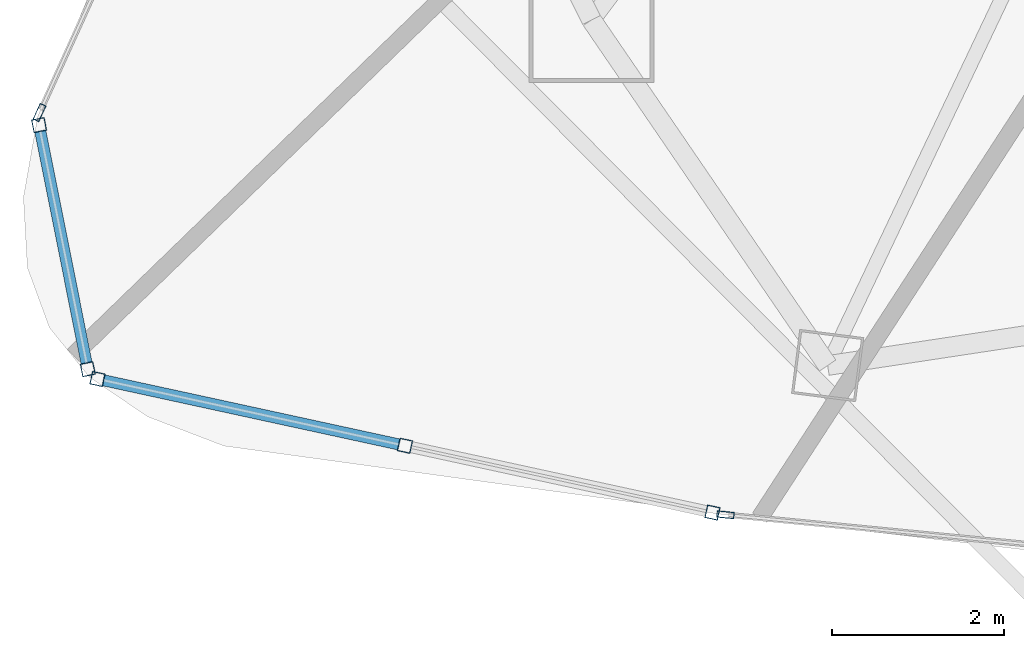
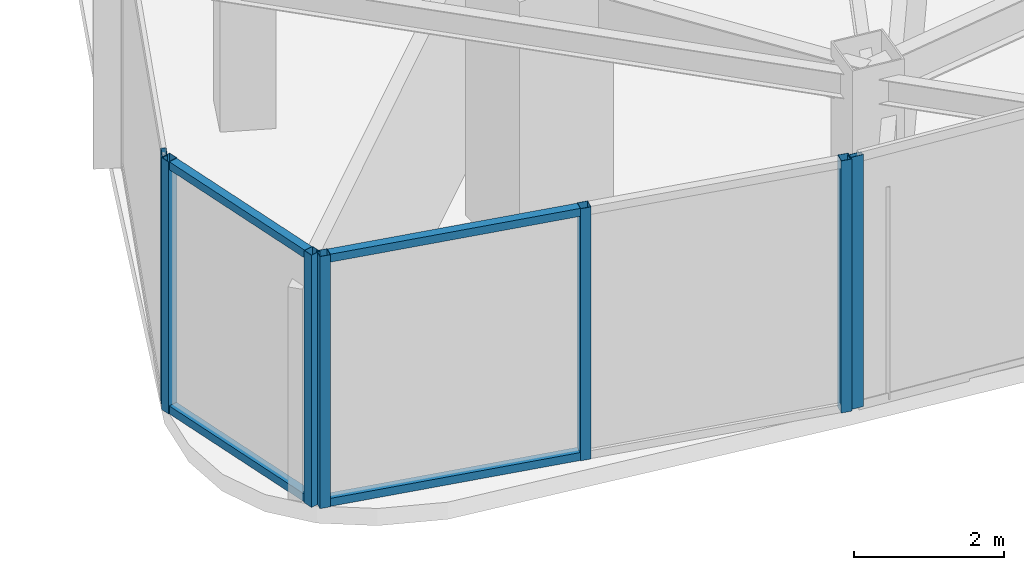
# One storey, part 2 of 28: 11 members, 4 elements without a shape of their own.
"""IFC4 building model written with IfcOpenShell, lengths in metres."""

from ifc_helpers import new_model, si_unit, direction, frame, origin, origin_2d, place, context, subcontext, project, spatial, hollow_rectangle, extrude, material, layer, layer_set, material_profile, profile_set, type_object, element, aggregate, save


model = new_model("IFC4")

# Units and contexts
model_context = context("Model", 3, precision=1e-05, world=origin(), true_north=direction((0.0, 1.0)))
body_context = subcontext(model_context, "Body", "Model", "MODEL_VIEW")
ifc_project = project(units=[si_unit("LENGTHUNIT", "METRE"), si_unit("AREAUNIT", "SQUARE_METRE"), si_unit("VOLUMEUNIT", "CUBIC_METRE"), si_unit("PLANEANGLEUNIT", "RADIAN"), si_unit("MASSUNIT", "GRAM", prefix="KILO")], contexts=[model_context])

# Site, building, storey
site_placement = place(None, origin())
site = spatial("IfcSite", under=ifc_project, at=site_placement, CompositionType="ELEMENT")
building_placement = place(site_placement, origin())
building = spatial("IfcBuilding", under=site, at=building_placement, Name="Orvanel Arch Residences", CompositionType="ELEMENT")
storey_placement = place(building_placement, frame((0.0, 0.0, 146.300048828125)))
storey = spatial("IfcBuildingStorey", under=building, at=storey_placement, Name="L41", CompositionType="ELEMENT", Elevation=146.300048828125)

# Curtain wall, members
ifc_material = material(Name="Bronze-anodised aluminium AA6063-T6", Category="aluminium")
ifc_layer_1 = layer(ifc_material, 0.18994140625)
ifc_layer_set_1 = layer_set([ifc_layer_1], Name="Bronze-anodised aluminium AA6063-T6")
curtain_wall_type_1 = type_object("IfcCurtainWallType", Name="CW5-CRN-SYS", PredefinedType="NOTDEFINED", material=ifc_layer_set_1)
curtain_wall_1_placement = place(storey_placement, origin())
curtain_wall_1 = element("IfcCurtainWall", 1, at=curtain_wall_1_placement, inside=storey, type_object=curtain_wall_type_1, Name="L41 CW5-CRN-SYS Unitised Curtain Wall", PredefinedType="NOTDEFINED")
ifc_material_profile_1 = material_profile(ifc_material, hollow_rectangle(XDim=0.14990234375, YDim=0.14990234375, WallThickness=0.0048828125, at=origin_2d()), Name="ALU150x150x5")
ifc_profile_set_1 = profile_set([ifc_material_profile_1], Name="Bronze-anodised aluminium AA6063-T6")
member_type_1 = type_object("IfcMemberType", Name="MUL-150x150", PredefinedType="MULLION", material=ifc_profile_set_1)
member_1_placement = place(storey_placement, frame((7.78564453125, 9.13037109375, 0.0), z_axis=(0.0, 0.0, 1.0), x_axis=(0.98065651814, 0.195736540862, 0.0)))
member_1 = element("IfcMember", 2, at=member_1_placement, type_object=member_type_1, Name="CW-S5 mullion 1", PredefinedType="MULLION", context=body_context, shape_type="SweptSolid", body=[
    extrude(hollow_rectangle(XDim=0.14990234375, YDim=0.14990234375, WallThickness=0.0048828125, at=origin_2d()), origin(), (0.0, 0.0, 1.0), 4.10986328125),
])
member_2_placement = place(storey_placement, frame((8.351318359375, 6.296630859375, 0.0), z_axis=(0.0, 0.0, 1.0), x_axis=(0.98065651814, 0.195736540862, 0.0)))
member_2 = element("IfcMember", 3, at=member_2_placement, type_object=member_type_1, Name="CW-S5 mullion 2", PredefinedType="MULLION", context=body_context, shape_type="SweptSolid", body=[
    extrude(hollow_rectangle(XDim=0.14990234375, YDim=0.14990234375, WallThickness=0.0048828125, at=origin_2d()), origin(), (0.0, 0.0, 1.0), 4.10986328125),
])

curtain_wall_2_placement = place(storey_placement, origin())
curtain_wall_2 = element("IfcCurtainWall", 4, at=curtain_wall_2_placement, inside=storey, type_object=curtain_wall_type_1, Name="L41 CW5-CRN-SYS Unitised Curtain Wall", PredefinedType="NOTDEFINED")
member_3_placement = place(storey_placement, frame((8.46337890625, 6.18310546875, 0.0), z_axis=(0.0, 0.0, 1.0), x_axis=(0.212284888328, 0.977207821391, 0.0)))
member_3 = element("IfcMember", 5, at=member_3_placement, type_object=member_type_1, Name="CW-S5 mullion 1", PredefinedType="MULLION", context=body_context, shape_type="SweptSolid", body=[
    extrude(hollow_rectangle(XDim=0.14990234375, YDim=0.14990234375, WallThickness=0.0048828125, at=origin_2d()), origin(), (0.0, 0.0, 1.0), 4.10986328125),
])
member_4_placement = place(storey_placement, frame((12.033447265625, 5.407470703125, 0.0), z_axis=(0.0, 0.0, 1.0), x_axis=(0.212284888328, 0.977207821391, 0.0)))
member_4 = element("IfcMember", 6, at=member_4_placement, type_object=member_type_1, Name="CW-S5 mullion 2", PredefinedType="MULLION", context=body_context, shape_type="SweptSolid", body=[
    extrude(hollow_rectangle(XDim=0.14990234375, YDim=0.14990234375, WallThickness=0.0048828125, at=origin_2d()), origin(), (0.0, 0.0, 1.0), 4.10986328125),
])
member_5_placement = place(storey_placement, frame((15.603759765625, 4.6318359375, 0.0), z_axis=(0.0, 0.0, 1.0), x_axis=(0.212284888328, 0.977207821391, 0.0)))
member_5 = element("IfcMember", 7, at=member_5_placement, type_object=member_type_1, Name="CW-S5 mullion 3", PredefinedType="MULLION", context=body_context, shape_type="SweptSolid", body=[
    extrude(hollow_rectangle(XDim=0.14990234375, YDim=0.14990234375, WallThickness=0.0048828125, at=origin_2d()), origin(), (0.0, 0.0, 1.0), 4.10986328125),
])

# Curtain wall, member
ifc_layer_2 = layer(ifc_material, 0.195068359375)
ifc_layer_set_2 = layer_set([ifc_layer_2], Name="Bronze-anodised aluminium AA6063-T6")
curtain_wall_type_2 = type_object("IfcCurtainWallType", Name="CW6-COM-SYS", PredefinedType="NOTDEFINED", material=ifc_layer_set_2)
curtain_wall_3_placement = place(storey_placement, origin())
curtain_wall_3 = element("IfcCurtainWall", 8, at=curtain_wall_3_placement, inside=storey, type_object=curtain_wall_type_2, Name="L41 CW6-COM-SYS Unitised Curtain Wall", PredefinedType="NOTDEFINED")
ifc_material_profile_2 = material_profile(ifc_material, hollow_rectangle(XDim=0.074951171875, YDim=0.199951171875, WallThickness=0.0048828125, at=origin_2d()), Name="ALU200x75x5")
ifc_profile_set_2 = profile_set([ifc_material_profile_2], Name="Bronze-anodised aluminium AA6063-T6")
member_type_2 = type_object("IfcMemberType", Name="MUL-200x75", PredefinedType="MULLION", material=ifc_profile_set_2)
member_6_placement = place(storey_placement, frame((7.79052734375, 9.276123046875, 0.0), z_axis=(0.0, 0.0, 1.0), x_axis=(0.91052138682, -0.413461974242, 0.0)))
member_6 = element("IfcMember", 9, at=member_6_placement, type_object=member_type_2, Name="CW-S6 mullion 4", PredefinedType="MULLION", context=body_context, shape_type="SweptSolid", body=[
    extrude(hollow_rectangle(XDim=0.074951171875, YDim=0.199951171875, WallThickness=0.0048828125, at=origin_2d()), origin(), (0.0, 0.0, 1.0), 4.10986328125),
])
aggregate(curtain_wall_3, [member_6])

curtain_wall_4_placement = place(storey_placement, origin())
curtain_wall_4 = element("IfcCurtainWall", 10, at=curtain_wall_4_placement, inside=storey, type_object=curtain_wall_type_2, Name="L41 CW6-COM-SYS Unitised Curtain Wall", PredefinedType="NOTDEFINED")
member_7_placement = place(storey_placement, frame((15.75439453125, 4.6064453125, 0.0), z_axis=(0.0, 0.0, 1.0), x_axis=(0.096888678236, 0.995295224559, 0.0)))
member_7 = element("IfcMember", 11, at=member_7_placement, type_object=member_type_2, Name="CW-S6 mullion 1", PredefinedType="MULLION", context=body_context, shape_type="SweptSolid", body=[
    extrude(hollow_rectangle(XDim=0.074951171875, YDim=0.199951171875, WallThickness=0.0048828125, at=origin_2d()), origin(), (0.0, 0.0, 1.0), 4.10986328125),
])
aggregate(curtain_wall_4, [member_7])

# Member
ifc_material_profile_3 = material_profile(ifc_material, hollow_rectangle(XDim=0.1298828125, YDim=0.1298828125, WallThickness=0.00439453125, at=origin_2d()), Name="ALU130x130x4.5")
ifc_profile_set_3 = profile_set([ifc_material_profile_3], Name="Bronze-anodised aluminium AA6063-T6")
member_type_3 = type_object("IfcMemberType", Name="TRN-130x130", PredefinedType="USERDEFINED", material=ifc_profile_set_3)
member_8_placement = place(storey_placement, frame((7.80029296875, 9.056884765625, 0.06494140625), z_axis=(0.195773394623, -0.980649161504, 0.0), x_axis=(0.980649161504, 0.195773394623, 0.0)))
member_8 = element("IfcMember", 12, at=member_8_placement, type_object=member_type_3, Name="CW-S5 transom 1.1", ObjectType="TRANSOM", PredefinedType="USERDEFINED", context=body_context, shape_type="SweptSolid", body=[
    extrude(hollow_rectangle(XDim=0.1298828125, YDim=0.1298828125, WallThickness=0.00439453125, at=origin_2d()), origin(), (0.0, 0.0, 1.0), 2.73974609375),
])

member_9_placement = place(storey_placement, frame((7.80029296875, 9.056884765625, 4.044921875), z_axis=(0.195773394623, -0.980649161504, 0.0), x_axis=(0.980649161504, 0.195773394623, 0.0)))
member_9 = element("IfcMember", 13, at=member_9_placement, type_object=member_type_3, Name="CW-S5 transom 1.2", ObjectType="TRANSOM", PredefinedType="USERDEFINED", context=body_context, shape_type="SweptSolid", body=[
    extrude(hollow_rectangle(XDim=0.1298828125, YDim=0.1298828125, WallThickness=0.00439453125, at=origin_2d()), origin(), (0.0, 0.0, 1.0), 2.73974609375),
])

aggregate(curtain_wall_1, [member_1, member_2, member_8, member_9])

member_10_placement = place(storey_placement, frame((8.53662109375, 6.167236328125, 0.06494140625), z_axis=(0.977197742565, -0.212331278727, 0.0), x_axis=(0.212331278727, 0.977197742565, 0.0)))
member_10 = element("IfcMember", 14, at=member_10_placement, type_object=member_type_3, Name="CW-S5 transom 1.1", ObjectType="TRANSOM", PredefinedType="USERDEFINED", context=body_context, shape_type="SweptSolid", body=[
    extrude(hollow_rectangle(XDim=0.1298828125, YDim=0.1298828125, WallThickness=0.00439453125, at=origin_2d()), origin(), (0.0, 0.0, 1.0), 3.50341796875),
])

member_11_placement = place(storey_placement, frame((8.53662109375, 6.167236328125, 4.044921875), z_axis=(0.977197742565, -0.212331278727, 0.0), x_axis=(0.212331278727, 0.977197742565, 0.0)))
member_11 = element("IfcMember", 15, at=member_11_placement, type_object=member_type_3, Name="CW-S5 transom 1.2", ObjectType="TRANSOM", PredefinedType="USERDEFINED", context=body_context, shape_type="SweptSolid", body=[
    extrude(hollow_rectangle(XDim=0.1298828125, YDim=0.1298828125, WallThickness=0.00439453125, at=origin_2d()), origin(), (0.0, 0.0, 1.0), 3.50341796875),
])

aggregate(curtain_wall_2, [member_3, member_4, member_5, member_10, member_11])

save(model, "model.ifc")
